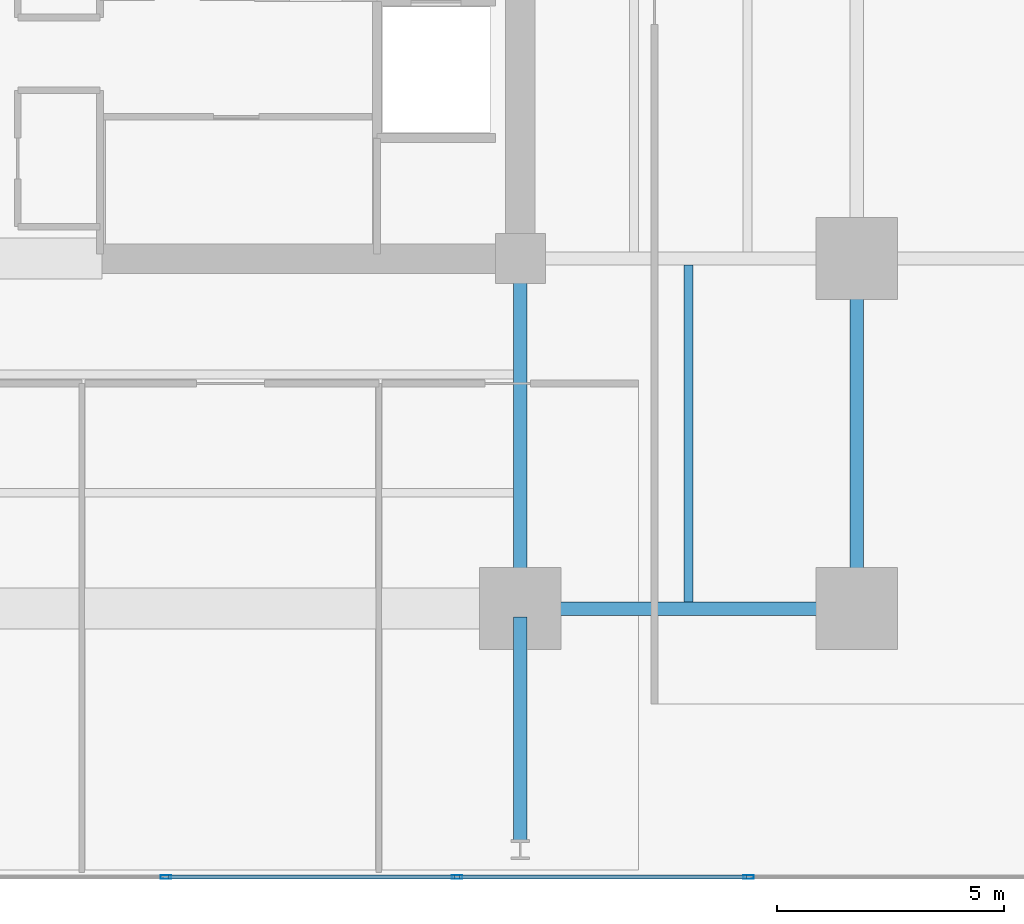
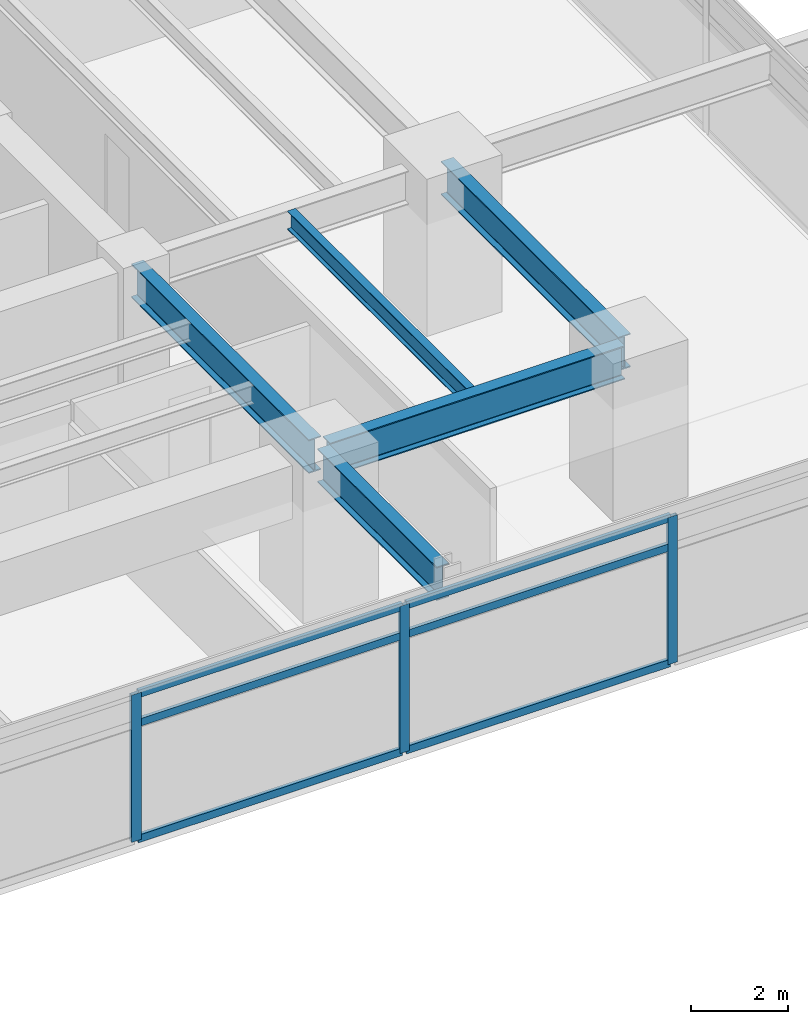
# One storey, part 6 of 22: 9 members, 5 beams, 1 element without a shape of its own.
"""IFC4 building model written with IfcOpenShell, lengths in metres."""

from ifc_helpers import new_model, si_unit, direction, frame, origin, origin_2d, place, context, subcontext, project, spatial, hollow_rectangle, i_section, extrude, material, material_profile, profile_set, type_object, element, aggregate, save


model = new_model("IFC4")

# Units and contexts
model_context = context("Model", 3, precision=1e-05, world=origin(), true_north=direction((0.0, 1.0)))
body_context = subcontext(model_context, "Body", "Model", "MODEL_VIEW")
ifc_project = project(units=[si_unit("LENGTHUNIT", "METRE"), si_unit("AREAUNIT", "SQUARE_METRE"), si_unit("VOLUMEUNIT", "CUBIC_METRE"), si_unit("PLANEANGLEUNIT", "RADIAN"), si_unit("MASSUNIT", "GRAM", prefix="KILO")], contexts=[model_context])

# Site, building, storey
site_placement = place(None, origin())
site = spatial("IfcSite", under=ifc_project, at=site_placement, CompositionType="ELEMENT")
building_placement = place(site_placement, origin())
building = spatial("IfcBuilding", under=site, at=building_placement, Name="Kovane Verandah Tower", CompositionType="ELEMENT")
storey_placement = place(building_placement, frame((0.0, 0.0, 79.60009765625)))
storey = spatial("IfcBuildingStorey", under=building, at=storey_placement, Name="L18", CompositionType="ELEMENT", Elevation=79.60009765625)

# Beams
ifc_material_1 = material(Name="Steel S355", Category="steel")
ifc_material_profile_1 = material_profile(ifc_material_1, i_section(OverallWidth=0.293701171875, OverallDepth=0.850830078125, WebThickness=0.01611328125, FlangeThickness=0.02685546875, FilletRadius=0.017822265625, at=origin_2d()), Name="UB838x292x226")
ifc_profile_set_1 = profile_set([ifc_material_profile_1], Name="Steel S355")
beam_type_1 = type_object("IfcBeamType", Name="BM-UB838x226", PredefinedType="BEAM", material=ifc_profile_set_1)
beam_1_placement = place(storey_placement, frame((51.179931640625, 10.800048828125, 3.33447265625), z_axis=(1.0, 0.0, 0.0), x_axis=(0.0, 1.0, 0.0)))
element("IfcBeam", 1, at=beam_1_placement, inside=storey, type_object=beam_type_1, Name="L18 Primary Tower Girder G-RS3", PredefinedType="BEAM", context=body_context, shape_type="SweptSolid", body=[
    extrude(i_section(OverallWidth=0.293701171875, OverallDepth=0.850830078125, WebThickness=0.01611328125, FlangeThickness=0.02685546875, FilletRadius=0.017822265625, at=origin_2d()), origin(), (0.0, 0.0, 1.0), 7.0400390625),
])
for number, where, z_axis, x_axis, name in (
    (2, (58.39990234375, 10.97998046875, 3.33447265625), (0.0, 1.0, 0.0), (-1.0, 0.0, 0.0), "L18 Primary Tower Girder G-RE1"),
    (3, (51.0, 18.320068359375, 3.33447265625), (0.0, -1.0, 0.0), (1.0, 0.0, 0.0), "L18 Primary Tower Girder G-S2"),
):
    element("IfcBeam", number, at=place(storey_placement, frame(where, z_axis=z_axis, x_axis=x_axis)), inside=storey, type_object=beam_type_1, Name=name, PredefinedType="BEAM", context=body_context, shape_type="SweptSolid", body=[
        extrude(i_section(OverallWidth=0.293701171875, OverallDepth=0.850830078125, WebThickness=0.01611328125, FlangeThickness=0.02685546875, FilletRadius=0.017822265625, at=origin_2d()), origin(), (0.0, 0.0, 1.0), 7.340087890625),
    ])
beam_2_placement = place(storey_placement, frame((51.0, 10.6201171875, 3.33447265625), z_axis=(0.0, -1.0, 0.0), x_axis=(1.0, 0.0, 0.0)))
element("IfcBeam", 4, at=beam_2_placement, inside=storey, type_object=beam_type_1, Name="L18 Primary Tower Girder G-VS2", PredefinedType="BEAM", context=body_context, shape_type="SweptSolid", body=[
    extrude(i_section(OverallWidth=0.293701171875, OverallDepth=0.850830078125, WebThickness=0.01611328125, FlangeThickness=0.02685546875, FilletRadius=0.017822265625, at=origin_2d()), origin(), (0.0, 0.0, 1.0), 4.940185546875),
])

# Curtain wall, members
ifc_material_2 = material(Name="Champagne Anodised Aluminium Frame with Low-E Clear Laminated Glass", Category="aluminium")
curtain_wall_type = type_object("IfcCurtainWallType", Name="CW-SYS-02-LOW", PredefinedType="NOTDEFINED", material=ifc_material_2)
curtain_wall_placement = place(storey_placement, origin())
curtain_wall = element("IfcCurtainWall", 5, at=curtain_wall_placement, inside=storey, type_object=curtain_wall_type, Name="L18 S Unitised Curtain Wall", PredefinedType="NOTDEFINED")
ifc_material_3 = material(Name="Champagne Anodised Aluminium 6063-T6", Category="aluminium")
ifc_material_profile_2 = material_profile(ifc_material_3, hollow_rectangle(XDim=0.0849609375, YDim=0.22998046875, WallThickness=0.00390625, at=origin_2d()), Name="AL85x230x4")
ifc_profile_set_2 = profile_set([ifc_material_profile_2], Name="Champagne Anodised Aluminium 6063-T6")
member_type_1 = type_object("IfcMemberType", Name="CW-MUL-85x230", PredefinedType="MULLION", material=ifc_profile_set_2)
member_1_placement = place(storey_placement, frame((43.2041015625, 4.89990234375, 0.02001953125), z_axis=(0.0, 0.0, 1.0), x_axis=(0.0, -1.0, 0.0)))
member_1 = element("IfcMember", 6, at=member_1_placement, type_object=member_type_1, Name="L18 S Unitised Curtain Wall Mullion 5", PredefinedType="MULLION", context=body_context, shape_type="SweptSolid", body=[
    extrude(hollow_rectangle(XDim=0.0849609375, YDim=0.22998046875, WallThickness=0.00390625, at=origin_2d()), origin(), (0.0, 0.0, 1.0), 3.719970703125),
])
member_2_placement = place(storey_placement, frame((49.6123046875, 4.89990234375, 0.02001953125), z_axis=(0.0, 0.0, 1.0), x_axis=(0.0, -1.0, 0.0)))
member_2 = element("IfcMember", 7, at=member_2_placement, type_object=member_type_1, Name="L18 S Unitised Curtain Wall Mullion 6", PredefinedType="MULLION", context=body_context, shape_type="SweptSolid", body=[
    extrude(hollow_rectangle(XDim=0.0849609375, YDim=0.22998046875, WallThickness=0.00390625, at=origin_2d()), origin(), (0.0, 0.0, 1.0), 3.719970703125),
])
member_3_placement = place(storey_placement, frame((56.0205078125, 4.89990234375, 0.02001953125), z_axis=(0.0, 0.0, 1.0), x_axis=(0.0, -1.0, 0.0)))
member_3 = element("IfcMember", 8, at=member_3_placement, type_object=member_type_1, Name="L18 S Unitised Curtain Wall Mullion 7", PredefinedType="MULLION", context=body_context, shape_type="SweptSolid", body=[
    extrude(hollow_rectangle(XDim=0.0849609375, YDim=0.22998046875, WallThickness=0.00390625, at=origin_2d()), origin(), (0.0, 0.0, 1.0), 3.719970703125),
])
ifc_material_profile_3 = material_profile(ifc_material_3, hollow_rectangle(XDim=0.0849609375, YDim=0.18994140625, WallThickness=0.00390625, at=origin_2d()), Name="AL85x190x4")
ifc_profile_set_3 = profile_set([ifc_material_profile_3], Name="Champagne Anodised Aluminium 6063-T6")
member_type_2 = type_object("IfcMemberType", Name="CW-TRN-85x190", PredefinedType="USERDEFINED", material=ifc_profile_set_3)
member_4_placement = place(storey_placement, frame((43.254150390625, 4.89990234375, 0.0498046875), z_axis=(1.0, 0.0, 0.0), x_axis=(0.0, 1.0, 0.0)))
member_4 = element("IfcMember", 9, at=member_4_placement, type_object=member_type_2, Name="L18 S Unitised Curtain Wall Transom TB Bay 5", ObjectType="TRANSOM", PredefinedType="USERDEFINED", context=body_context, shape_type="SweptSolid", body=[
    extrude(hollow_rectangle(XDim=0.0849609375, YDim=0.18994140625, WallThickness=0.00390625, at=origin_2d()), origin(), (0.0, 0.0, 1.0), 6.30810546875),
])
member_5_placement = place(storey_placement, frame((43.254150390625, 4.89990234375, 2.97998046875), z_axis=(1.0, 0.0, 0.0), x_axis=(0.0, 1.0, 0.0)))
member_5 = element("IfcMember", 10, at=member_5_placement, type_object=member_type_2, Name="L18 S Unitised Curtain Wall Transom TM Bay 5", ObjectType="TRANSOM", PredefinedType="USERDEFINED", context=body_context, shape_type="SweptSolid", body=[
    extrude(hollow_rectangle(XDim=0.0849609375, YDim=0.18994140625, WallThickness=0.00390625, at=origin_2d()), origin(), (0.0, 0.0, 1.0), 6.30810546875),
])
member_6_placement = place(storey_placement, frame((43.254150390625, 4.89990234375, 3.7099609375), z_axis=(1.0, 0.0, 0.0), x_axis=(0.0, 1.0, 0.0)))
member_6 = element("IfcMember", 11, at=member_6_placement, type_object=member_type_2, Name="L18 S Unitised Curtain Wall Transom TT Bay 5", ObjectType="TRANSOM", PredefinedType="USERDEFINED", context=body_context, shape_type="SweptSolid", body=[
    extrude(hollow_rectangle(XDim=0.0849609375, YDim=0.18994140625, WallThickness=0.00390625, at=origin_2d()), origin(), (0.0, 0.0, 1.0), 6.30810546875),
])
member_7_placement = place(storey_placement, frame((49.662353515625, 4.89990234375, 0.0498046875), z_axis=(1.0, 0.0, 0.0), x_axis=(0.0, 1.0, 0.0)))
member_7 = element("IfcMember", 12, at=member_7_placement, type_object=member_type_2, Name="L18 S Unitised Curtain Wall Transom TB Bay 6", ObjectType="TRANSOM", PredefinedType="USERDEFINED", context=body_context, shape_type="SweptSolid", body=[
    extrude(hollow_rectangle(XDim=0.0849609375, YDim=0.18994140625, WallThickness=0.00390625, at=origin_2d()), origin(), (0.0, 0.0, 1.0), 6.30810546875),
])
member_8_placement = place(storey_placement, frame((49.662353515625, 4.89990234375, 2.97998046875), z_axis=(1.0, 0.0, 0.0), x_axis=(0.0, 1.0, 0.0)))
member_8 = element("IfcMember", 13, at=member_8_placement, type_object=member_type_2, Name="L18 S Unitised Curtain Wall Transom TM Bay 6", ObjectType="TRANSOM", PredefinedType="USERDEFINED", context=body_context, shape_type="SweptSolid", body=[
    extrude(hollow_rectangle(XDim=0.0849609375, YDim=0.18994140625, WallThickness=0.00390625, at=origin_2d()), origin(), (0.0, 0.0, 1.0), 6.30810546875),
])
member_9_placement = place(storey_placement, frame((49.662353515625, 4.89990234375, 3.7099609375), z_axis=(1.0, 0.0, 0.0), x_axis=(0.0, 1.0, 0.0)))
member_9 = element("IfcMember", 14, at=member_9_placement, type_object=member_type_2, Name="L18 S Unitised Curtain Wall Transom TT Bay 6", ObjectType="TRANSOM", PredefinedType="USERDEFINED", context=body_context, shape_type="SweptSolid", body=[
    extrude(hollow_rectangle(XDim=0.0849609375, YDim=0.18994140625, WallThickness=0.00390625, at=origin_2d()), origin(), (0.0, 0.0, 1.0), 6.30810546875),
])
aggregate(curtain_wall, [member_1, member_2, member_3, member_4, member_5, member_6, member_7, member_8, member_9])

# Beam
ifc_material_profile_4 = material_profile(ifc_material_1, i_section(OverallWidth=0.19287109375, OverallDepth=0.46728515625, WebThickness=0.011474609375, FlangeThickness=0.01953125, FilletRadius=0.01025390625, at=origin_2d()), Name="UB457x191x98")
ifc_profile_set_4 = profile_set([ifc_material_profile_4], Name="Steel S355")
beam_type_2 = type_object("IfcBeamType", Name="JST-UB457x98", PredefinedType="JOIST", material=ifc_profile_set_4)
beam_3_placement = place(storey_placement, frame((54.699951171875, 10.94482421875, 3.5263671875), z_axis=(0.0, 1.0, 0.0), x_axis=(-1.0, 0.0, 0.0)))
element("IfcBeam", 15, at=beam_3_placement, inside=storey, type_object=beam_type_2, Name="L18 Secondary Composite Joist J-SE1", PredefinedType="JOIST", context=body_context, shape_type="SweptSolid", body=[
    extrude(i_section(OverallWidth=0.19287109375, OverallDepth=0.46728515625, WebThickness=0.011474609375, FlangeThickness=0.01953125, FilletRadius=0.01025390625, at=origin_2d()), origin(), (0.0, 0.0, 1.0), 7.41015625),
])

save(model, "model.ifc")
